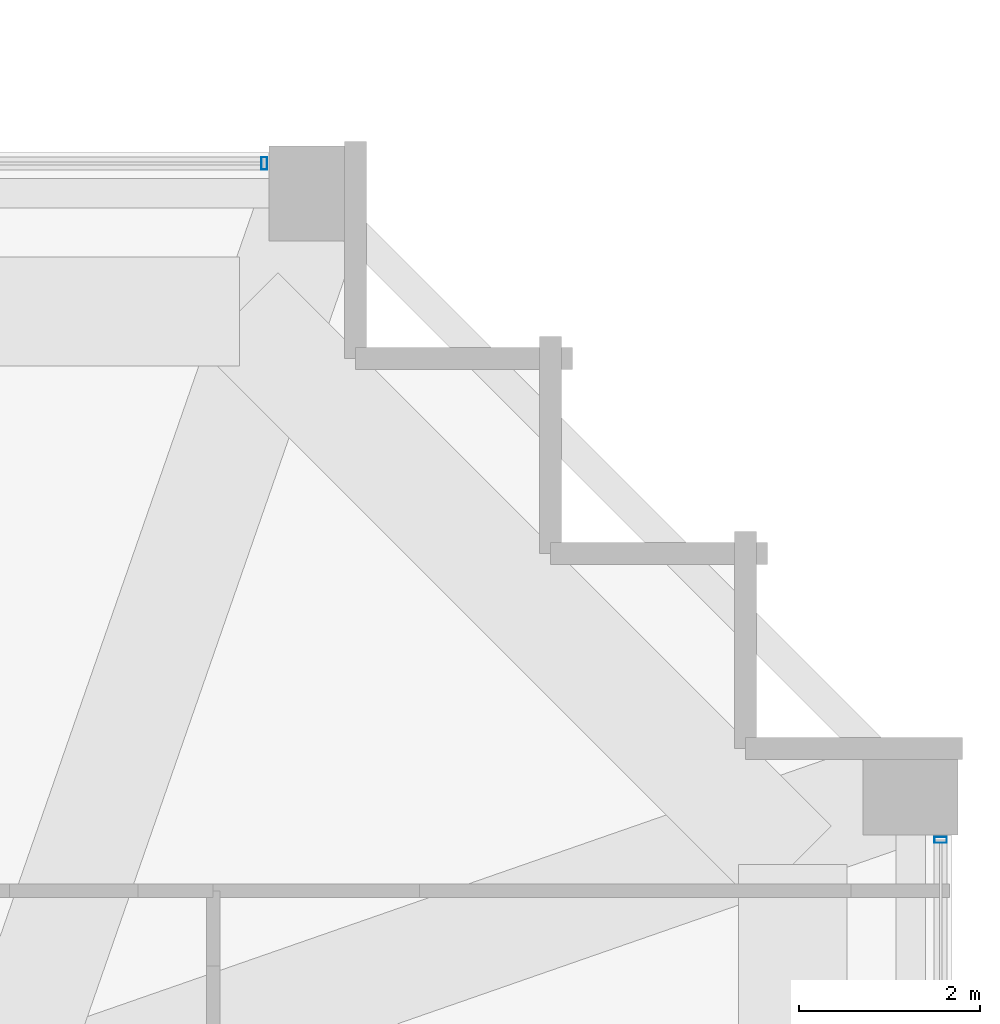
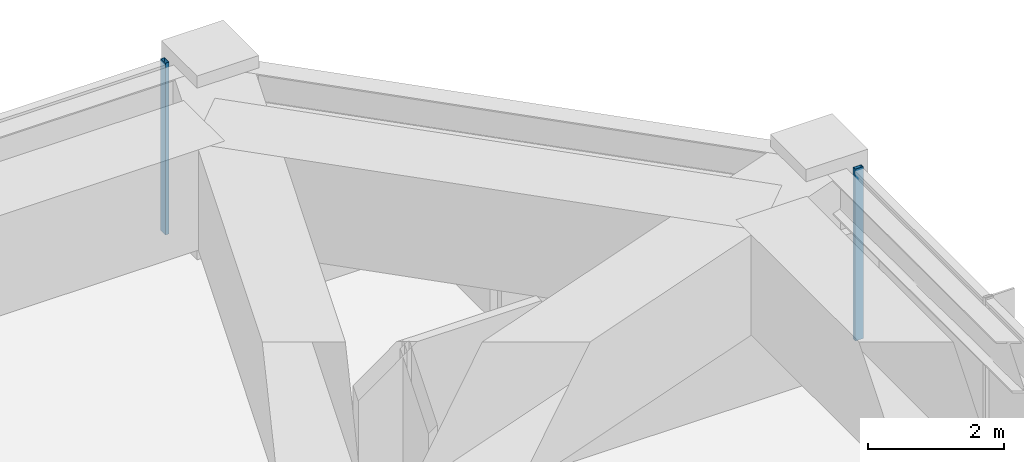
# One storey, part 24 of 34: 2 members, 2 elements without a shape of their own.
"""IFC4 building model written with IfcOpenShell, lengths in metres."""

from ifc_helpers import new_model, si_unit, direction, frame, origin, origin_2d, place, context, subcontext, project, spatial, hollow_rectangle, extrude, material, material_profile, profile_set, type_object, element, aggregate, save


model = new_model("IFC4")

# Units and contexts
model_context = context("Model", 3, precision=1e-05, world=origin(), true_north=direction((0.0, 1.0)))
body_context = subcontext(model_context, "Body", "Model", "MODEL_VIEW")
ifc_project = project(units=[si_unit("LENGTHUNIT", "METRE"), si_unit("AREAUNIT", "SQUARE_METRE"), si_unit("VOLUMEUNIT", "CUBIC_METRE"), si_unit("PLANEANGLEUNIT", "RADIAN"), si_unit("MASSUNIT", "GRAM", prefix="KILO")], contexts=[model_context])

# Site, building, storey
site_placement = place(None, origin())
site = spatial("IfcSite", under=ifc_project, at=site_placement, CompositionType="ELEMENT")
building_placement = place(site_placement, origin())
building = spatial("IfcBuilding", under=site, at=building_placement, Name="Kolvaren Belvedere", CompositionType="ELEMENT")
storey_placement = place(building_placement, frame((0.0, 0.0, 105.199951171875)))
storey = spatial("IfcBuildingStorey", under=building, at=storey_placement, Name="L30", CompositionType="ELEMENT", Elevation=105.199951171875)

# Curtain wall, member
ifc_material_1 = material(Name="Anodised pale-metal aluminium AA 6063-T6", Category="aluminium")
curtain_wall_type = type_object("IfcCurtainWallType", Name="CW-Z2-MID", PredefinedType="NOTDEFINED", material=ifc_material_1)
curtain_wall_1_placement = place(storey_placement, origin())
curtain_wall_1 = element("IfcCurtainWall", 1, at=curtain_wall_1_placement, inside=storey, type_object=curtain_wall_type, Name="L30 Unitised Curtain Wall FCW-L30-E-B1", PredefinedType="NOTDEFINED")
ifc_material_2 = material(Name="Anodised pale-metal aluminium AA 6063-T6", Category="aluminium")
ifc_material_profile = material_profile(ifc_material_2, hollow_rectangle(XDim=0.06494140625, YDim=0.139892578125, WallThickness=0.00390625, at=origin_2d()), Name="ALU-MUL-140X65")
ifc_profile_set = profile_set([ifc_material_profile], Name="Anodised pale-metal aluminium AA 6063-T6")
member_type = type_object("IfcMemberType", Name="CW-MUL-140", PredefinedType="MULLION", material=ifc_profile_set)
member_1_placement = place(storey_placement, frame((20.280029296875, 12.822509765625, 0.0), z_axis=(0.0, 0.0, 1.0), x_axis=(0.0, 1.0, 0.0)))
member_1 = element("IfcMember", 2, at=member_1_placement, type_object=member_type, Name="FCW-L30-E-B1 Unitised Mullion 1", PredefinedType="MULLION", context=body_context, shape_type="SweptSolid", body=[
    extrude(hollow_rectangle(XDim=0.06494140625, YDim=0.139892578125, WallThickness=0.00390625, at=origin_2d()), origin(), (0.0, 0.0, 1.0), 3.080078125),
])
aggregate(curtain_wall_1, [member_1])

curtain_wall_2_placement = place(storey_placement, origin())
curtain_wall_2 = element("IfcCurtainWall", 3, at=curtain_wall_2_placement, inside=storey, type_object=curtain_wall_type, Name="L30 Unitised Curtain Wall FCW-L30-N2-B2", PredefinedType="NOTDEFINED")
member_2_placement = place(storey_placement, frame((12.822509765625, 20.280029296875, 0.0), z_axis=(0.0, 0.0, 1.0), x_axis=(1.0, 0.0, 0.0)))
member_2 = element("IfcMember", 4, at=member_2_placement, type_object=member_type, Name="FCW-L30-N2-B2 Unitised Mullion 3", PredefinedType="MULLION", context=body_context, shape_type="SweptSolid", body=[
    extrude(hollow_rectangle(XDim=0.06494140625, YDim=0.139892578125, WallThickness=0.00390625, at=origin_2d()), origin(), (0.0, 0.0, 1.0), 3.080078125),
])
aggregate(curtain_wall_2, [member_2])

save(model, "model.ifc")
